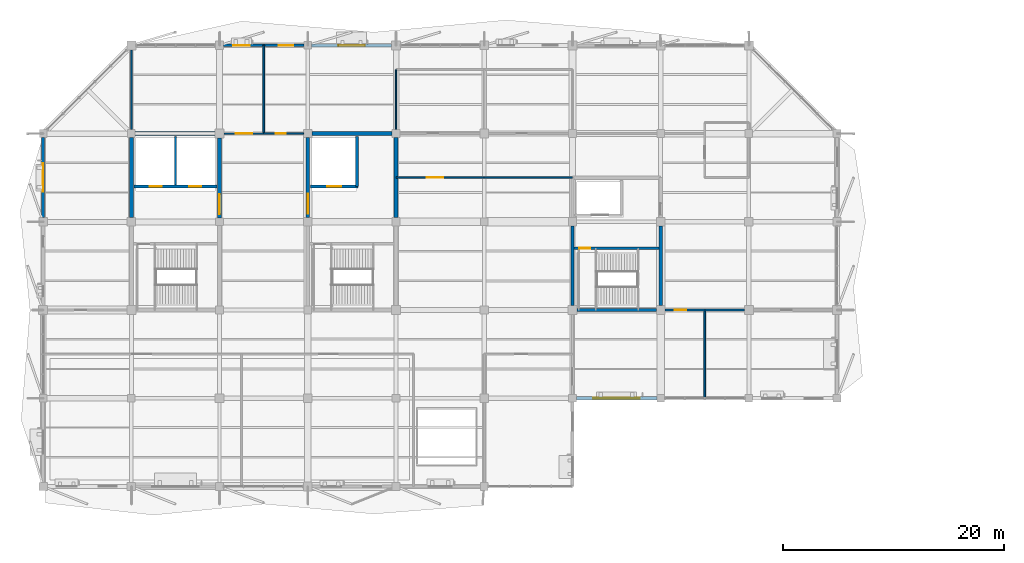
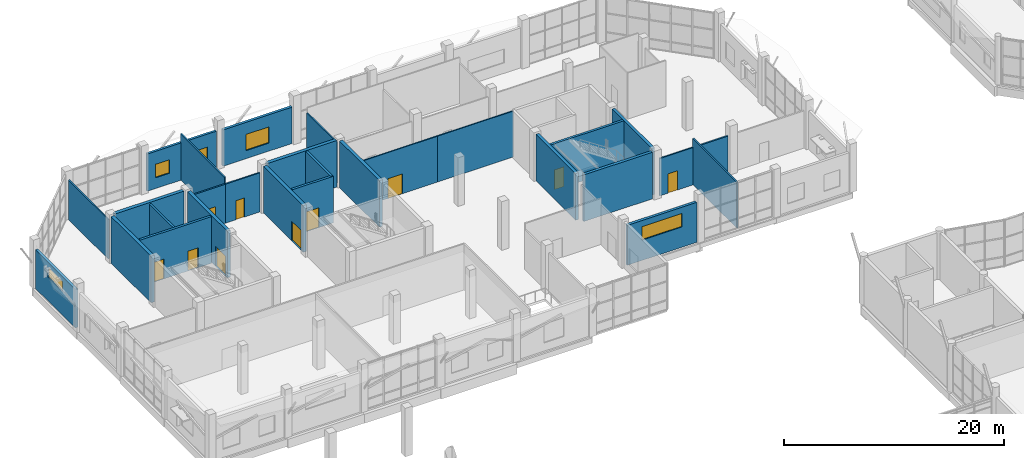
# One storey, part 107 of 122: 28 walls, 10 doors, 5 windows, 15 openings.
"""IFC4 building model written with IfcOpenShell, lengths in metres."""

from ifc_helpers import new_model, si_unit, direction, frame, frame_2d, origin, place, context, subcontext, project, spatial, rectangle, extrude, material, layer, layer_set, type_object, element, fill, save


model = new_model("IFC4")

# Units and contexts
model_context = context("Model", 3, precision=1e-05, world=origin(), true_north=direction((0.0, 1.0)))
body_context = subcontext(model_context, "Body", "Model", "MODEL_VIEW")
ifc_project = project(units=[si_unit("LENGTHUNIT", "METRE"), si_unit("AREAUNIT", "SQUARE_METRE"), si_unit("VOLUMEUNIT", "CUBIC_METRE"), si_unit("PLANEANGLEUNIT", "RADIAN"), si_unit("MASSUNIT", "GRAM", prefix="KILO")], contexts=[model_context])

# Site, building, storey
site_placement = place(None, origin())
site = spatial("IfcSite", under=ifc_project, at=site_placement, CompositionType="ELEMENT")
building_placement = place(site_placement, origin())
building = spatial("IfcBuilding", under=site, at=building_placement, Name="Tenunan Teduh Sports Hall", CompositionType="ELEMENT")
storey_placement = place(building_placement, frame((0.0, 0.0, 5.39990234375)))
storey = spatial("IfcBuildingStorey", under=building, at=storey_placement, Name="L01", CompositionType="ELEMENT", Elevation=5.39990234375)

# Wall, openings, doors
ifc_material_1 = material(Name="Concrete C40/50", Category="concrete")
ifc_layer_1 = layer(ifc_material_1, 0.25)
ifc_layer_set_1 = layer_set([ifc_layer_1], Name="Concrete C40/50")
wall_type_1 = type_object("IfcWallType", Name="WL-COR-250", PredefinedType="SOLIDWALL", material=ifc_layer_set_1)
wall_1_placement = place(storey_placement, frame((14.25, 105.199951171875, 0.0), z_axis=(0.0, 0.0, 1.0), x_axis=(1.0, 0.0, 0.0)))
wall_1 = element("IfcWall", 1, at=wall_1_placement, inside=storey, type_object=wall_type_1, Name="WL-COR-L01-026", PredefinedType="SOLIDWALL", context=body_context, shape_type="SweptSolid", body=[
    extrude(rectangle(XDim=7.5, YDim=0.25, at=frame_2d((3.75, 0.0))), origin(), (0.0, 0.0, 1.0), 5.18017578125),
])
opening_1_placement = place(wall_1_placement, frame((1.39990234375, 0.0, 0.0)))
opening_1 = element("IfcOpeningElement", 2, at=opening_1_placement, cuts=wall_1, Name="Opening LD-1", PredefinedType="OPENING", context=body_context, shape_type="SweptSolid", body=[
    extrude(rectangle(XDim=1.10009765625, YDim=2.199951171875, at=frame_2d((0.550048828125, 1.10009765625))), frame((0.0, 0.135009765625, 0.0), z_axis=(0.0, -1.0, 0.0), x_axis=(1.0, 0.0, 0.0)), (0.0, 0.0, 1.0), 0.27001953125),
])
opening_2_placement = place(wall_1_placement, frame((5.0, 0.0, 0.0)))
opening_2 = element("IfcOpeningElement", 3, at=opening_2_placement, cuts=wall_1, Name="Opening LD-1", PredefinedType="OPENING", context=body_context, shape_type="SweptSolid", body=[
    extrude(rectangle(XDim=1.10009765625, YDim=2.199951171875, at=frame_2d((0.550048828125, 1.10009765625))), frame((0.0, 0.135009765625, 0.0), z_axis=(0.0, -1.0, 0.0), x_axis=(1.0, 0.0, 0.0)), (0.0, 0.0, 1.0), 0.27001953125),
])
ifc_material_2 = material(Name="Brushed stainless steel landing doors", Category="steel")
door_type_1 = type_object("IfcDoorType", Name="LDR-01", OperationType="DOUBLE_DOOR_SLIDING", PredefinedType="DOOR", material=ifc_material_2)
door_1_placement = place(opening_1_placement, origin())
door_1 = element("IfcDoor", 4, at=door_1_placement, inside=storey, type_object=door_type_1, Name="Lift Landing Door LD-05", OperationType="DOUBLE_DOOR_SLIDING", OverallHeight=2.199951171875, OverallWidth=1.10009765625, PredefinedType="DOOR", context=body_context, shape_type="SweptSolid", body=[
    extrude(rectangle(XDim=1.10009765625, YDim=2.199951171875, at=frame_2d((0.550048828125, 1.10009765625))), frame((0.0, 0.02490234375, 0.0), z_axis=(0.0, -1.0, 0.0), x_axis=(1.0, 0.0, 0.0)), (0.0, 0.0, 1.0), 0.050048828125),
])
fill(opening_1, door_1)
door_2_placement = place(opening_2_placement, origin())
door_2 = element("IfcDoor", 5, at=door_2_placement, inside=storey, type_object=door_type_1, Name="Lift Landing Door LD-06", OperationType="DOUBLE_DOOR_SLIDING", OverallHeight=2.199951171875, OverallWidth=1.10009765625, PredefinedType="DOOR", context=body_context, shape_type="SweptSolid", body=[
    extrude(rectangle(XDim=1.10009765625, YDim=2.199951171875, at=frame_2d((0.550048828125, 1.10009765625))), frame((0.0, 0.02490234375, 0.0), z_axis=(0.0, -1.0, 0.0), x_axis=(1.0, 0.0, 0.0)), (0.0, 0.0, 1.0), 0.050048828125),
])
fill(opening_2, door_2)

# Wall, opening, door
wall_2_placement = place(storey_placement, frame((30.25, 105.199951171875, 0.0), z_axis=(0.0, 0.0, 1.0), x_axis=(1.0, 0.0, 0.0)))
wall_2 = element("IfcWall", 6, at=wall_2_placement, inside=storey, type_object=wall_type_1, Name="WL-COR-L01-080", PredefinedType="SOLIDWALL", context=body_context, shape_type="SweptSolid", body=[
    extrude(rectangle(XDim=4.300048828125, YDim=0.25, at=frame_2d((2.14990234375, 0.0))), origin(), (0.0, 0.0, 1.0), 5.18017578125),
])
opening_3_placement = place(wall_2_placement, frame((1.5, 0.0, 0.0)))
opening_3 = element("IfcOpeningElement", 7, at=opening_3_placement, cuts=wall_2, Name="Opening LD-2", PredefinedType="OPENING", context=body_context, shape_type="SweptSolid", body=[
    extrude(rectangle(XDim=1.300048828125, YDim=2.199951171875, at=frame_2d((0.64990234375, 1.10009765625))), frame((0.0, 0.135009765625, 0.0), z_axis=(0.0, -1.0, 0.0), x_axis=(1.0, 0.0, 0.0)), (0.0, 0.0, 1.0), 0.27001953125),
])
ifc_material_3 = material(Name="Fire-fighting lift stainless landing doors")
door_type_2 = type_object("IfcDoorType", Name="LDR-02", OperationType="DOUBLE_DOOR_SLIDING", PredefinedType="DOOR", material=ifc_material_3)
door_3_placement = place(opening_3_placement, origin())
door_3 = element("IfcDoor", 8, at=door_3_placement, inside=storey, type_object=door_type_2, Name="Lift Landing Door LD-15", OperationType="DOUBLE_DOOR_SLIDING", OverallHeight=2.199951171875, OverallWidth=1.300048828125, PredefinedType="DOOR", context=body_context, shape_type="SweptSolid", body=[
    extrude(rectangle(XDim=1.300048828125, YDim=2.199951171875, at=frame_2d((0.64990234375, 1.10009765625))), frame((0.0, 0.02490234375, 0.0), z_axis=(0.0, -1.0, 0.0), x_axis=(1.0, 0.0, 0.0)), (0.0, 0.0, 1.0), 0.050048828125),
])
fill(opening_3, door_3)

# Wall
wall_3_placement = place(storey_placement, frame((34.449951171875, 105.199951171875, 0.0), z_axis=(0.0, 0.0, 1.0), x_axis=(0.0, 1.0, 0.0)))
element("IfcWall", 9, at=wall_3_placement, inside=storey, type_object=wall_type_1, Name="WL-COR-L01-081", PredefinedType="SOLIDWALL", context=body_context, shape_type="SweptSolid", body=[
    extrude(rectangle(XDim=4.550048828125, YDim=0.25, at=frame_2d((2.27490234375, 0.0))), origin(), (0.0, 0.0, 1.0), 5.18017578125),
])

# Wall, opening, door
wall_4_placement = place(storey_placement, frame((54.14990234375, 99.60009765625, 0.0), z_axis=(0.0, 0.0, 1.0), x_axis=(1.0, 0.0, 0.0)))
wall_4 = element("IfcWall", 10, at=wall_4_placement, inside=storey, type_object=wall_type_1, Name="WL-COR-L01-133", PredefinedType="SOLIDWALL", context=body_context, shape_type="SweptSolid", body=[
    extrude(rectangle(XDim=7.7001953125, YDim=0.25, at=frame_2d((3.85009765625, 0.0))), origin(), (0.0, 0.0, 1.0), 5.18017578125),
])
opening_4_placement = place(wall_4_placement, frame((0.449951171875, 0.0, 0.0)))
opening_4 = element("IfcOpeningElement", 11, at=opening_4_placement, cuts=wall_4, Name="Opening FD-01", PredefinedType="OPENING", context=body_context, shape_type="SweptSolid", body=[
    extrude(rectangle(XDim=1.0, YDim=2.199951171875, at=frame_2d((0.5, 1.10009765625))), frame((0.0, 0.135009765625, 0.0), z_axis=(0.0, -1.0, 0.0), x_axis=(1.0, 0.0, 0.0)), (0.0, 0.0, 1.0), 0.27001953125),
])
ifc_material_4 = material(Name="Fire-rated steel leaf and frame", Category="steel")
door_type_3 = type_object("IfcDoorType", Name="FDR-01", OperationType="SINGLE_SWING_LEFT", PredefinedType="DOOR", material=ifc_material_4)
door_4_placement = place(opening_4_placement, frame((1.0, 0.0, 0.0), z_axis=(0.0, 0.0, 1.0), x_axis=(-1.0, 0.0, 0.0)))
door_4 = element("IfcDoor", 12, at=door_4_placement, inside=storey, type_object=door_type_3, Name="DR-INT-L01-051", OperationType="SINGLE_SWING_RIGHT", OverallHeight=2.199951171875, OverallWidth=1.0, PredefinedType="DOOR", context=body_context, shape_type="SweptSolid", body=[
    extrude(rectangle(XDim=1.0, YDim=2.199951171875, at=frame_2d((0.5, 1.10009765625))), frame((0.0, 0.02490234375, 0.0), z_axis=(0.0, -1.0, 0.0), x_axis=(1.0, 0.0, 0.0)), (0.0, 0.0, 1.0), 0.050048828125),
])
fill(opening_4, door_4)

# Wall, openings, windows
ifc_material_5 = material(Name="Precast concrete C40/50", Category="concrete")
ifc_layer_2 = layer(ifc_material_5, 0.25)
ifc_layer_set_2 = layer_set([ifc_layer_2], Name="Precast concrete C40/50")
wall_type_2 = type_object("IfcWallType", Name="WL-EXT-250", PredefinedType="SOLIDWALL", material=ifc_layer_set_2)
wall_5_placement = place(storey_placement, frame((22.375, 118.0, 0.0), z_axis=(0.0, 0.0, 1.0), x_axis=(1.0, 0.0, 0.0)))
wall_5 = element("IfcWall", 13, at=wall_5_placement, inside=storey, type_object=wall_type_2, Name="WL-EXT-L01-171", PredefinedType="SOLIDWALL", context=body_context, shape_type="SweptSolid", body=[
    extrude(rectangle(XDim=7.27490234375, YDim=0.25, at=frame_2d((3.637451171875, 0.0))), origin(), (0.0, 0.0, 1.0), 4.14013671875),
])
opening_5_placement = place(wall_5_placement, frame((0.85009765625, 0.0, 1.199951171875)))
opening_5 = element("IfcOpeningElement", 14, at=opening_5_placement, cuts=wall_5, Name="Opening W-09", PredefinedType="OPENING", context=body_context, shape_type="SweptSolid", body=[
    extrude(rectangle(XDim=1.5, YDim=1.5, at=frame_2d((0.75, 0.75))), frame((0.0, 0.135009765625, 0.0), z_axis=(0.0, -1.0, 0.0), x_axis=(1.0, 0.0, 0.0)), (0.0, 0.0, 1.0), 0.27001953125),
])
opening_6_placement = place(wall_5_placement, frame((4.969970703125, 0.0, 1.050048828125)))
opening_6 = element("IfcOpeningElement", 15, at=opening_6_placement, cuts=wall_5, Name="Opening W-18", PredefinedType="OPENING", context=body_context, shape_type="SweptSolid", body=[
    extrude(rectangle(XDim=1.35009765625, YDim=1.64990234375, at=frame_2d((0.675048828125, 0.824951171875))), frame((0.0, 0.135009765625, 0.0), z_axis=(0.0, -1.0, 0.0), x_axis=(1.0, 0.0, 0.0)), (0.0, 0.0, 1.0), 0.27001953125),
])
ifc_material_6 = material(Name="Thermally broken aluminium and Low-E glazing", Category="aluminium")
window_type_1 = type_object("IfcWindowType", Name="WIN-09", PartitioningType="DOUBLE_PANEL_VERTICAL", PredefinedType="WINDOW", material=ifc_material_6)
window_1_placement = place(opening_5_placement, origin())
window_1 = element("IfcWindow", 16, at=window_1_placement, inside=storey, type_object=window_type_1, Name="WIN-L01-057", OverallHeight=1.5, OverallWidth=1.5, PartitioningType="SINGLE_PANEL", PredefinedType="WINDOW", context=body_context, shape_type="SweptSolid", body=[
    extrude(rectangle(XDim=1.5, YDim=1.5, at=frame_2d((0.75, 0.75))), frame((0.0, 0.030029296875, 0.0), z_axis=(0.0, -1.0, 0.0), x_axis=(1.0, 0.0, 0.0)), (0.0, 0.0, 1.0), 0.06005859375),
])
fill(opening_5, window_1)
ifc_material_7 = material(Name="Thermally broken aluminium and Low-E glazing", Category="aluminium")
window_type_2 = type_object("IfcWindowType", Name="WIN-18", PartitioningType="DOUBLE_PANEL_VERTICAL", PredefinedType="WINDOW", material=ifc_material_7)
window_2_placement = place(opening_6_placement, origin())
window_2 = element("IfcWindow", 17, at=window_2_placement, inside=storey, type_object=window_type_2, Name="WIN-L01-058", OverallHeight=1.64990234375, OverallWidth=1.35009765625, PartitioningType="SINGLE_PANEL", PredefinedType="WINDOW", context=body_context, shape_type="SweptSolid", body=[
    extrude(rectangle(XDim=1.35009765625, YDim=1.64990234375, at=frame_2d((0.675048828125, 0.824951171875))), frame((0.0, 0.030029296875, 0.0), z_axis=(0.0, -1.0, 0.0), x_axis=(1.0, 0.0, 0.0)), (0.0, 0.0, 1.0), 0.06005859375),
])
fill(opening_6, window_2)

# Wall, opening, window
ifc_material_8 = material(Name="Concrete C40/50", Category="concrete")
ifc_layer_3 = layer(ifc_material_8, 0.280029296875)
ifc_layer_set_3 = layer_set([ifc_layer_3], Name="Concrete C40/50")
wall_type_3 = type_object("IfcWallType", Name="WL-EXT-280", PredefinedType="SOLIDWALL", material=ifc_layer_set_3)
wall_6_placement = place(storey_placement, frame((54.35009765625, 86.0, 0.0), z_axis=(0.0, 0.0, 1.0), x_axis=(1.0, 0.0, 0.0)))
wall_6 = element("IfcWall", 18, at=wall_6_placement, inside=storey, type_object=wall_type_3, Name="WL-EXT-L01-167", PredefinedType="SOLIDWALL", context=body_context, shape_type="SweptSolid", body=[
    extrude(rectangle(XDim=7.2998046875, YDim=0.280029296875, at=frame_2d((3.64990234375, 0.0))), origin(), (0.0, 0.0, 1.0), 4.440185546875),
])
opening_7_placement = place(wall_6_placement, frame((1.550048828125, 0.0, 2.25)))
opening_7 = element("IfcOpeningElement", 19, at=opening_7_placement, cuts=wall_6, Name="Opening W-06", PredefinedType="OPENING", context=body_context, shape_type="SweptSolid", body=[
    extrude(rectangle(XDim=4.199951171875, YDim=1.5, at=frame_2d((2.10009765625, 0.75))), frame((0.0, 0.14990234375, 0.0), z_axis=(0.0, -1.0, 0.0), x_axis=(1.0, 0.0, 0.0)), (0.0, 0.0, 1.0), 0.300048828125),
])
ifc_material_9 = material(Name="Thermally broken aluminium and Low-E glazing", Category="aluminium")
window_type_3 = type_object("IfcWindowType", Name="WIN-06", PartitioningType="TRIPLE_PANEL_HORIZONTAL", PredefinedType="WINDOW", material=ifc_material_9)
window_3_placement = place(opening_7_placement, origin())
window_3 = element("IfcWindow", 20, at=window_3_placement, inside=storey, type_object=window_type_3, Name="WIN-L01-051", OverallHeight=1.5, OverallWidth=4.199951171875, PartitioningType="SINGLE_PANEL", PredefinedType="WINDOW", context=body_context, shape_type="SweptSolid", body=[
    extrude(rectangle(XDim=4.199951171875, YDim=1.5, at=frame_2d((2.10009765625, 0.75))), frame((0.0, 0.030029296875, 0.0), z_axis=(0.0, -1.0, 0.0), x_axis=(1.0, 0.0, 0.0)), (0.0, 0.0, 1.0), 0.06005859375),
])
fill(opening_7, window_3)

wall_7_placement = place(storey_placement, frame((30.35009765625, 118.0, 0.0), z_axis=(0.0, 0.0, 1.0), x_axis=(1.0, 0.0, 0.0)))
wall_7 = element("IfcWall", 21, at=wall_7_placement, inside=storey, type_object=wall_type_3, Name="WL-EXT-L01-172", PredefinedType="SOLIDWALL", context=body_context, shape_type="SweptSolid", body=[
    extrude(rectangle(XDim=7.25, YDim=0.280029296875, at=frame_2d((3.625, 0.0))), origin(), (0.0, 0.0, 1.0), 4.0400390625),
])
opening_8_placement = place(wall_7_placement, frame((2.419921875, 0.0, 0.89990234375)))
opening_8 = element("IfcOpeningElement", 22, at=opening_8_placement, cuts=wall_7, Name="Opening W-03", PredefinedType="OPENING", context=body_context, shape_type="SweptSolid", body=[
    extrude(rectangle(XDim=2.39990234375, YDim=1.800048828125, at=frame_2d((1.199951171875, 0.89990234375))), frame((0.0, 0.14990234375, 0.0), z_axis=(0.0, -1.0, 0.0), x_axis=(1.0, 0.0, 0.0)), (0.0, 0.0, 1.0), 0.300048828125),
])
ifc_material_10 = material(Name="Thermally broken aluminium and Low-E glazing", Category="aluminium")
window_type_4 = type_object("IfcWindowType", Name="WIN-03", PartitioningType="DOUBLE_PANEL_VERTICAL", PredefinedType="WINDOW", material=ifc_material_10)
window_4_placement = place(opening_8_placement, origin())
window_4 = element("IfcWindow", 23, at=window_4_placement, inside=storey, type_object=window_type_4, Name="WIN-L01-059", OverallHeight=1.800048828125, OverallWidth=2.39990234375, PartitioningType="SINGLE_PANEL", PredefinedType="WINDOW", context=body_context, shape_type="SweptSolid", body=[
    extrude(rectangle(XDim=2.39990234375, YDim=1.800048828125, at=frame_2d((1.199951171875, 0.89990234375))), frame((0.0, 0.030029296875, 0.0), z_axis=(0.0, -1.0, 0.0), x_axis=(1.0, 0.0, 0.0)), (0.0, 0.0, 1.0), 0.06005859375),
])
fill(opening_8, window_4)

wall_8_placement = place(storey_placement, frame((6.0, 102.375, 0.0), z_axis=(0.0, 0.0, 1.0), x_axis=(0.0, 1.0, 0.0)))
wall_8 = element("IfcWall", 24, at=wall_8_placement, inside=storey, type_object=wall_type_3, Name="WL-EXT-L01-177", PredefinedType="SOLIDWALL", context=body_context, shape_type="SweptSolid", body=[
    extrude(rectangle(XDim=7.27490234375, YDim=0.280029296875, at=frame_2d((3.637451171875, 0.0))), origin(), (0.0, 0.0, 1.0), 4.2900390625),
])
opening_9_placement = place(wall_8_placement, frame((2.340087890625, 0.0, 2.64990234375)))
opening_9 = element("IfcOpeningElement", 25, at=opening_9_placement, cuts=wall_8, Name="Opening W-16", PredefinedType="OPENING", context=body_context, shape_type="SweptSolid", body=[
    extrude(rectangle(XDim=2.60009765625, YDim=1.10009765625, at=frame_2d((1.300048828125, 0.550048828125))), frame((0.0, 0.14990234375, 0.0), z_axis=(0.0, -1.0, 0.0), x_axis=(1.0, 0.0, 0.0)), (0.0, 0.0, 1.0), 0.300048828125),
])
ifc_material_11 = material(Name="Thermally broken aluminium and Low-E glazing", Category="aluminium")
window_type_5 = type_object("IfcWindowType", Name="WIN-16", PartitioningType="DOUBLE_PANEL_HORIZONTAL", PredefinedType="WINDOW", material=ifc_material_11)
window_5_placement = place(opening_9_placement, origin())
window_5 = element("IfcWindow", 26, at=window_5_placement, inside=storey, type_object=window_type_5, Name="WIN-L01-066", OverallHeight=1.10009765625, OverallWidth=2.60009765625, PartitioningType="SINGLE_PANEL", PredefinedType="WINDOW", context=body_context, shape_type="SweptSolid", body=[
    extrude(rectangle(XDim=2.60009765625, YDim=1.10009765625, at=frame_2d((1.300048828125, 0.550048828125))), frame((0.0, 0.030029296875, 0.0), z_axis=(0.0, -1.0, 0.0), x_axis=(1.0, 0.0, 0.0)), (0.0, 0.0, 1.0), 0.06005859375),
])
fill(opening_9, window_5)

# Wall
ifc_material_12 = material(Name="Moisture-resistant masonry", Category="masonry")
ifc_layer_4 = layer(ifc_material_12, 0.125)
ifc_layer_set_4 = layer_set([ifc_layer_4], Name="Moisture-resistant masonry")
wall_type_4 = type_object("IfcWallType", Name="WL-PRT-125", PredefinedType="PARTITIONING", material=ifc_layer_set_4)
wall_9_placement = place(storey_placement, frame((38.0, 110.35009765625, 0.0), z_axis=(0.0, 0.0, 1.0), x_axis=(0.0, 1.0, 0.0)))
element("IfcWall", 27, at=wall_9_placement, inside=storey, type_object=wall_type_4, Name="WL-PRT-L01-371", PredefinedType="PARTITIONING", context=body_context, shape_type="SweptSolid", body=[
    extrude(rectangle(XDim=5.449951171875, YDim=0.125, at=frame_2d((2.72509765625, 0.0))), origin(), (0.0, 0.0, 1.0), 4.5400390625),
])

# Wall, opening, door
wall_10_placement = place(storey_placement, frame((38.0, 106.0, 0.0), z_axis=(0.0, 0.0, 1.0), x_axis=(1.0, 0.0, 0.0)))
wall_10 = element("IfcWall", 28, at=wall_10_placement, inside=storey, type_object=wall_type_4, Name="WL-PRT-L01-374", PredefinedType="PARTITIONING", context=body_context, shape_type="SweptSolid", body=[
    extrude(rectangle(XDim=8.0, YDim=0.125, at=frame_2d((4.0, 0.0))), origin(), (0.0, 0.0, 1.0), 5.10009765625),
])
opening_10_placement = place(wall_10_placement, frame((2.800048828125, 0.0, 0.0)))
opening_10 = element("IfcOpeningElement", 29, at=opening_10_placement, cuts=wall_10, Name="Opening ID-04", PredefinedType="OPENING", context=body_context, shape_type="SweptSolid", body=[
    extrude(rectangle(XDim=1.5, YDim=2.199951171875, at=frame_2d((0.75, 1.10009765625))), frame((0.0, 0.072509765625, 0.0), z_axis=(0.0, -1.0, 0.0), x_axis=(1.0, 0.0, 0.0)), (0.0, 0.0, 1.0), 0.14501953125),
])
ifc_material_13 = material(Name="Acoustic studio timber pair", Category="wood")
door_type_4 = type_object("IfcDoorType", Name="IDR-04", OperationType="DOUBLE_DOOR_SINGLE_SWING", PredefinedType="DOOR", material=ifc_material_13)
door_5_placement = place(opening_10_placement, frame((1.5, 0.0, 0.0), z_axis=(0.0, 0.0, 1.0), x_axis=(-1.0, 0.0, 0.0)))
door_5 = element("IfcDoor", 30, at=door_5_placement, inside=storey, type_object=door_type_4, Name="DR-INT-L01-142", OperationType="DOUBLE_DOOR_SINGLE_SWING", OverallHeight=2.199951171875, OverallWidth=1.5, PredefinedType="DOOR", context=body_context, shape_type="SweptSolid", body=[
    extrude(rectangle(XDim=1.5, YDim=2.199951171875, at=frame_2d((0.75, 1.10009765625))), frame((0.0, 0.02490234375, 0.0), z_axis=(0.0, -1.0, 0.0), x_axis=(1.0, 0.0, 0.0)), (0.0, 0.0, 1.0), 0.050048828125),
])
fill(opening_10, door_5)

# Walls
wall_11_placement = place(storey_placement, frame((46.0, 106.0, 0.0), z_axis=(0.0, 0.0, 1.0), x_axis=(1.0, 0.0, 0.0)))
element("IfcWall", 31, at=wall_11_placement, inside=storey, type_object=wall_type_4, Name="WL-PRT-L01-375", PredefinedType="PARTITIONING", context=body_context, shape_type="SweptSolid", body=[
    extrude(rectangle(XDim=8.0, YDim=0.125, at=frame_2d((4.0, 0.0))), origin(), (0.0, 0.0, 1.0), 5.10009765625),
])
ifc_material_14 = material(Name="Acoustic stud and double plasterboard")
ifc_layer_5 = layer(ifc_material_14, 0.14990234375)
ifc_layer_set_5 = layer_set([ifc_layer_5], Name="Acoustic stud and double plasterboard")
wall_type_5 = type_object("IfcWallType", Name="WL-PRT-150", PredefinedType="PARTITIONING", material=ifc_layer_set_5)
wall_12_placement = place(storey_placement, frame((14.0, 110.35009765625, 0.0), z_axis=(0.0, 0.0, 1.0), x_axis=(0.0, 1.0, 0.0)))
element("IfcWall", 32, at=wall_12_placement, inside=storey, type_object=wall_type_5, Name="WL-PRT-L01-369", PredefinedType="PARTITIONING", context=body_context, shape_type="SweptSolid", body=[
    extrude(rectangle(XDim=7.25, YDim=0.14990234375, at=frame_2d((3.625, 0.0))), origin(), (0.0, 0.0, 1.0), 4.39013671875),
])
wall_13_placement = place(storey_placement, frame((26.0, 110.0, 0.0), z_axis=(0.0, 0.0, 1.0), x_axis=(0.0, 1.0, 0.0)))
element("IfcWall", 33, at=wall_13_placement, inside=storey, type_object=wall_type_5, Name="WL-PRT-L01-370", PredefinedType="PARTITIONING", context=body_context, shape_type="SweptSolid", body=[
    extrude(rectangle(XDim=8.0, YDim=0.14990234375, at=frame_2d((4.0, 0.0))), origin(), (0.0, 0.0, 1.0), 5.10009765625),
])

# Wall, opening, door
wall_14_placement = place(storey_placement, frame((22.39990234375, 110.0, 0.0), z_axis=(0.0, 0.0, 1.0), x_axis=(1.0, 0.0, 0.0)))
wall_14 = element("IfcWall", 34, at=wall_14_placement, inside=storey, type_object=wall_type_5, Name="WL-PRT-L01-372", PredefinedType="PARTITIONING", context=body_context, shape_type="SweptSolid", body=[
    extrude(rectangle(XDim=3.60009765625, YDim=0.14990234375, at=frame_2d((1.800048828125, 0.0))), origin(), (0.0, 0.0, 1.0), 4.340087890625),
])
opening_11_placement = place(wall_14_placement, frame((1.080078125, 0.0, 0.0)))
opening_11 = element("IfcOpeningElement", 35, at=opening_11_placement, cuts=wall_14, Name="Opening ID-04", PredefinedType="OPENING", context=body_context, shape_type="SweptSolid", body=[
    extrude(rectangle(XDim=1.5, YDim=2.199951171875, at=frame_2d((0.75, 1.10009765625))), frame((0.0, 0.0849609375, 0.0), z_axis=(0.0, -1.0, 0.0), x_axis=(1.0, 0.0, 0.0)), (0.0, 0.0, 1.0), 0.169921875),
])
door_6_placement = place(opening_11_placement, frame((1.5, 0.0, 0.0), z_axis=(0.0, 0.0, 1.0), x_axis=(-1.0, 0.0, 0.0)))
door_6 = element("IfcDoor", 36, at=door_6_placement, inside=storey, type_object=door_type_4, Name="DR-INT-L01-140", OperationType="DOUBLE_DOOR_SINGLE_SWING", OverallHeight=2.199951171875, OverallWidth=1.5, PredefinedType="DOOR", context=body_context, shape_type="SweptSolid", body=[
    extrude(rectangle(XDim=1.5, YDim=2.199951171875, at=frame_2d((0.75, 1.10009765625))), frame((0.0, 0.02490234375, 0.0), z_axis=(0.0, -1.0, 0.0), x_axis=(1.0, 0.0, 0.0)), (0.0, 0.0, 1.0), 0.050048828125),
])
fill(opening_11, door_6)

wall_15_placement = place(storey_placement, frame((26.0, 110.0, 0.0), z_axis=(0.0, 0.0, 1.0), x_axis=(1.0, 0.0, 0.0)))
wall_15 = element("IfcWall", 37, at=wall_15_placement, inside=storey, type_object=wall_type_5, Name="WL-PRT-L01-373", PredefinedType="PARTITIONING", context=body_context, shape_type="SweptSolid", body=[
    extrude(rectangle(XDim=3.625, YDim=0.14990234375, at=frame_2d((1.8125, 0.0))), origin(), (0.0, 0.0, 1.0), 4.340087890625),
])
opening_12_placement = place(wall_15_placement, frame((1.090087890625, 0.0, 0.0)))
opening_12 = element("IfcOpeningElement", 38, at=opening_12_placement, cuts=wall_15, Name="Opening ID-08", PredefinedType="OPENING", context=body_context, shape_type="SweptSolid", body=[
    extrude(rectangle(XDim=0.919921875, YDim=2.1201171875, at=frame_2d((0.4599609375, 1.06005859375))), frame((0.0, 0.0849609375, 0.0), z_axis=(0.0, -1.0, 0.0), x_axis=(1.0, 0.0, 0.0)), (0.0, 0.0, 1.0), 0.169921875),
])
ifc_material_15 = material(Name="Acoustic office timber leaf", Category="wood")
door_type_5 = type_object("IfcDoorType", Name="IDR-08", OperationType="SINGLE_SWING_LEFT", PredefinedType="DOOR", material=ifc_material_15)
door_7_placement = place(opening_12_placement, frame((0.919921875, 0.0, 0.0), z_axis=(0.0, 0.0, 1.0), x_axis=(-1.0, 0.0, 0.0)))
door_7 = element("IfcDoor", 39, at=door_7_placement, inside=storey, type_object=door_type_5, Name="DR-INT-L01-141", OperationType="SINGLE_SWING_RIGHT", OverallHeight=2.1201171875, OverallWidth=0.919921875, PredefinedType="DOOR", context=body_context, shape_type="SweptSolid", body=[
    extrude(rectangle(XDim=0.919921875, YDim=2.1201171875, at=frame_2d((0.4599609375, 1.06005859375))), frame((0.0, 0.02490234375, 0.0), z_axis=(0.0, -1.0, 0.0), x_axis=(1.0, 0.0, 0.0)), (0.0, 0.0, 1.0), 0.050048828125),
])
fill(opening_12, door_7)

wall_16_placement = place(storey_placement, frame((62.39990234375, 94.0, 0.0), z_axis=(0.0, 0.0, 1.0), x_axis=(1.0, 0.0, 0.0)))
wall_16 = element("IfcWall", 40, at=wall_16_placement, inside=storey, type_object=wall_type_5, Name="WL-PRT-L01-388", PredefinedType="PARTITIONING", context=body_context, shape_type="SweptSolid", body=[
    extrude(rectangle(XDim=3.60009765625, YDim=0.14990234375, at=frame_2d((1.800048828125, 0.0))), origin(), (0.0, 0.0, 1.0), 4.14013671875),
])
opening_13_placement = place(wall_16_placement, frame((0.89990234375, 0.0, 0.0)))
opening_13 = element("IfcOpeningElement", 41, at=opening_13_placement, cuts=wall_16, Name="Opening ID-03", PredefinedType="OPENING", context=body_context, shape_type="SweptSolid", body=[
    extrude(rectangle(XDim=1.0, YDim=2.14990234375, at=frame_2d((0.5, 1.074951171875))), frame((0.0, 0.0849609375, 0.0), z_axis=(0.0, -1.0, 0.0), x_axis=(1.0, 0.0, 0.0)), (0.0, 0.0, 1.0), 0.169921875),
])
ifc_material_16 = material(Name="Accessible wide HPL leaf")
door_type_6 = type_object("IfcDoorType", Name="IDR-03", OperationType="SINGLE_SWING_LEFT", PredefinedType="DOOR", material=ifc_material_16)
door_8_placement = place(opening_13_placement, origin())
door_8 = element("IfcDoor", 42, at=door_8_placement, inside=storey, type_object=door_type_6, Name="DR-INT-L01-147", OperationType="SINGLE_SWING_RIGHT", OverallHeight=2.14990234375, OverallWidth=1.0, PredefinedType="DOOR", context=body_context, shape_type="SweptSolid", body=[
    extrude(rectangle(XDim=1.0, YDim=2.14990234375, at=frame_2d((0.5, 1.074951171875))), frame((0.0, 0.02490234375, 0.0), z_axis=(0.0, -1.0, 0.0), x_axis=(1.0, 0.0, 0.0)), (0.0, 0.0, 1.0), 0.050048828125),
])
fill(opening_13, door_8)

# Walls
wall_17_placement = place(storey_placement, frame((66.0, 94.0, 0.0), z_axis=(0.0, 0.0, 1.0), x_axis=(1.0, 0.0, 0.0)))
element("IfcWall", 43, at=wall_17_placement, inside=storey, type_object=wall_type_5, Name="WL-PRT-L01-389", PredefinedType="PARTITIONING", context=body_context, shape_type="SweptSolid", body=[
    extrude(rectangle(XDim=3.60009765625, YDim=0.14990234375, at=frame_2d((1.800048828125, 0.0))), origin(), (0.0, 0.0, 1.0), 4.14013671875),
])
wall_18_placement = place(storey_placement, frame((66.0, 86.0, 0.0), z_axis=(0.0, 0.0, 1.0), x_axis=(0.0, 1.0, 0.0)))
element("IfcWall", 44, at=wall_18_placement, inside=storey, type_object=wall_type_5, Name="WL-PRT-L01-391", PredefinedType="PARTITIONING", context=body_context, shape_type="SweptSolid", body=[
    extrude(rectangle(XDim=8.0, YDim=0.14990234375, at=frame_2d((4.0, 0.0))), origin(), (0.0, 0.0, 1.0), 5.10009765625),
])
ifc_material_17 = material(Name="Autoclaved aerated concrete blockwork", Category="masonry")
ifc_layer_6 = layer(ifc_material_17, 0.199951171875)
ifc_layer_set_6 = layer_set([ifc_layer_6], Name="Autoclaved aerated concrete blockwork")
wall_type_6 = type_object("IfcWallType", Name="WL-PRT-200", PredefinedType="PARTITIONING", material=ifc_layer_set_6)
wall_19_placement = place(storey_placement, frame((18.0, 105.35009765625, 0.0), z_axis=(0.0, 0.0, 1.0), x_axis=(0.0, 1.0, 0.0)))
element("IfcWall", 45, at=wall_19_placement, inside=storey, type_object=wall_type_6, Name="WL-PRT-L01-027", PredefinedType="PARTITIONING", context=body_context, shape_type="SweptSolid", body=[
    extrude(rectangle(XDim=4.39990234375, YDim=0.199951171875, at=frame_2d((2.199951171875, 0.0))), origin(), (0.0, 0.0, 1.0), 5.10009765625),
])
ifc_material_18 = material(Name="Concrete C40/50", Category="concrete")
ifc_layer_7 = layer(ifc_material_18, 0.300048828125)
ifc_layer_set_7 = layer_set([ifc_layer_7], Name="Concrete C40/50")
wall_type_7 = type_object("IfcWallType", Name="WL-SHR-300", PredefinedType="SHEAR", material=ifc_layer_set_7)
wall_20_placement = place(storey_placement, frame((54.39990234375, 94.0, 0.0), z_axis=(0.0, 0.0, 1.0), x_axis=(1.0, 0.0, 0.0)))
element("IfcWall", 46, at=wall_20_placement, inside=storey, type_object=wall_type_7, Name="WL-COR-L01-127", PredefinedType="SHEAR", context=body_context, shape_type="SweptSolid", body=[
    extrude(rectangle(XDim=7.2001953125, YDim=0.300048828125, at=frame_2d((3.60009765625, 0.0))), origin(), (0.0, 0.0, 1.0), 5.18017578125),
])
for number, where, z_axis, x_axis, name in (
    (47, (54.0, 94.39990234375, 0.0), (0.0, 0.0, 1.0), (0.0, 1.0, 0.0), "WL-COR-L01-129"),
    (48, (62.0, 94.39990234375, 0.0), (0.0, 0.0, 1.0), (0.0, 1.0, 0.0), "WL-COR-L01-131"),
):
    element("IfcWall", number, at=place(storey_placement, frame(where, z_axis=z_axis, x_axis=x_axis)), inside=storey, type_object=wall_type_7, Name=name, PredefinedType="SHEAR", context=body_context, shape_type="SweptSolid", body=[
        extrude(rectangle(XDim=7.22509765625, YDim=0.300048828125, at=frame_2d((3.612548828125, 0.0))), origin(), (0.0, 0.0, 1.0), 5.18017578125),
    ])
ifc_material_19 = material(Name="Concrete C40/50", Category="concrete")
ifc_layer_8 = layer(ifc_material_19, 0.35009765625)
ifc_layer_set_8 = layer_set([ifc_layer_8], Name="Concrete C40/50")
wall_type_8 = type_object("IfcWallType", Name="WL-SHR-350", PredefinedType="SHEAR", material=ifc_layer_set_8)
wall_21_placement = place(storey_placement, frame((14.35009765625, 110.0, 0.0), z_axis=(0.0, 0.0, 1.0), x_axis=(1.0, 0.0, 0.0)))
element("IfcWall", 49, at=wall_21_placement, inside=storey, type_object=wall_type_8, Name="WL-COR-L01-020", PredefinedType="SHEAR", context=body_context, shape_type="SweptSolid", body=[
    extrude(rectangle(XDim=7.25, YDim=0.35009765625, at=frame_2d((3.625, 0.0))), origin(), (0.0, 0.0, 1.0), 5.18017578125),
])
wall_22_placement = place(storey_placement, frame((14.0, 102.375, 0.0), z_axis=(0.0, 0.0, 1.0), x_axis=(0.0, 1.0, 0.0)))
element("IfcWall", 50, at=wall_22_placement, inside=storey, type_object=wall_type_8, Name="WL-COR-L01-022", PredefinedType="SHEAR", context=body_context, shape_type="SweptSolid", body=[
    extrude(rectangle(XDim=7.27490234375, YDim=0.35009765625, at=frame_2d((3.637451171875, 0.0))), origin(), (0.0, 0.0, 1.0), 5.18017578125),
])

# Wall, opening, door
wall_23_placement = place(storey_placement, frame((22.0, 102.35009765625, 0.0), z_axis=(0.0, 0.0, 1.0), x_axis=(0.0, 1.0, 0.0)))
wall_23 = element("IfcWall", 51, at=wall_23_placement, inside=storey, type_object=wall_type_8, Name="WL-COR-L01-024", PredefinedType="SHEAR", context=body_context, shape_type="SweptSolid", body=[
    extrude(rectangle(XDim=7.25, YDim=0.35009765625, at=frame_2d((3.625, 0.0))), origin(), (0.0, 0.0, 1.0), 5.18017578125),
])
opening_14_placement = place(wall_23_placement, frame((0.35009765625, 0.0, 0.0)))
opening_14 = element("IfcOpeningElement", 52, at=opening_14_placement, cuts=wall_23, Name="Opening FD-03", PredefinedType="OPENING", context=body_context, shape_type="SweptSolid", body=[
    extrude(rectangle(XDim=1.800048828125, YDim=2.199951171875, at=frame_2d((0.89990234375, 1.10009765625))), frame((0.0, 0.18505859375, 0.0), z_axis=(0.0, -1.0, 0.0), x_axis=(1.0, 0.0, 0.0)), (0.0, 0.0, 1.0), 0.3701171875),
])
ifc_material_20 = material(Name="Fire-rated hardwood pair", Category="wood")
door_type_7 = type_object("IfcDoorType", Name="FDR-03", OperationType="DOUBLE_DOOR_SINGLE_SWING", PredefinedType="DOOR", material=ifc_material_20)
door_9_placement = place(opening_14_placement, frame((1.800048828125, 0.0, 0.0), z_axis=(0.0, 0.0, 1.0), x_axis=(-1.0, 0.0, 0.0)))
door_9 = element("IfcDoor", 53, at=door_9_placement, inside=storey, type_object=door_type_7, Name="DR-INT-L01-009", OperationType="DOUBLE_DOOR_SINGLE_SWING", OverallHeight=2.199951171875, OverallWidth=1.800048828125, PredefinedType="DOOR", context=body_context, shape_type="SweptSolid", body=[
    extrude(rectangle(XDim=1.800048828125, YDim=2.199951171875, at=frame_2d((0.89990234375, 1.10009765625))), frame((0.0, 0.02490234375, 0.0), z_axis=(0.0, -1.0, 0.0), x_axis=(1.0, 0.0, 0.0)), (0.0, 0.0, 1.0), 0.050048828125),
])
fill(opening_14, door_9)

# Wall
wall_24_placement = place(storey_placement, frame((30.375, 110.0, 0.0), z_axis=(0.0, 0.0, 1.0), x_axis=(1.0, 0.0, 0.0)))
element("IfcWall", 54, at=wall_24_placement, inside=storey, type_object=wall_type_8, Name="WL-COR-L01-074", PredefinedType="SHEAR", context=body_context, shape_type="SweptSolid", body=[
    extrude(rectangle(XDim=7.27490234375, YDim=0.35009765625, at=frame_2d((3.637451171875, 0.0))), origin(), (0.0, 0.0, 1.0), 5.18017578125),
])

# Wall, opening, door
wall_25_placement = place(storey_placement, frame((30.0, 102.39990234375, 0.0), z_axis=(0.0, 0.0, 1.0), x_axis=(0.0, 1.0, 0.0)))
wall_25 = element("IfcWall", 55, at=wall_25_placement, inside=storey, type_object=wall_type_8, Name="WL-COR-L01-076", PredefinedType="SHEAR", context=body_context, shape_type="SweptSolid", body=[
    extrude(rectangle(XDim=7.22509765625, YDim=0.35009765625, at=frame_2d((3.612548828125, 0.0))), origin(), (0.0, 0.0, 1.0), 5.18017578125),
])
opening_15_placement = place(wall_25_placement, frame((0.35009765625, 0.0, 0.0)))
opening_15 = element("IfcOpeningElement", 56, at=opening_15_placement, cuts=wall_25, Name="Opening FD-03", PredefinedType="OPENING", context=body_context, shape_type="SweptSolid", body=[
    extrude(rectangle(XDim=1.800048828125, YDim=2.199951171875, at=frame_2d((0.89990234375, 1.10009765625))), frame((0.0, 0.18505859375, 0.0), z_axis=(0.0, -1.0, 0.0), x_axis=(1.0, 0.0, 0.0)), (0.0, 0.0, 1.0), 0.3701171875),
])
door_10_placement = place(opening_15_placement, origin())
door_10 = element("IfcDoor", 57, at=door_10_placement, inside=storey, type_object=door_type_7, Name="DR-INT-L01-031", OperationType="DOUBLE_DOOR_SINGLE_SWING", OverallHeight=2.199951171875, OverallWidth=1.800048828125, PredefinedType="DOOR", context=body_context, shape_type="SweptSolid", body=[
    extrude(rectangle(XDim=1.800048828125, YDim=2.199951171875, at=frame_2d((0.89990234375, 1.10009765625))), frame((0.0, 0.02490234375, 0.0), z_axis=(0.0, -1.0, 0.0), x_axis=(1.0, 0.0, 0.0)), (0.0, 0.0, 1.0), 0.050048828125),
])
fill(opening_15, door_10)

# Wall
wall_26_placement = place(storey_placement, frame((38.0, 102.375, 0.0), z_axis=(0.0, 0.0, 1.0), x_axis=(0.0, 1.0, 0.0)))
element("IfcWall", 58, at=wall_26_placement, inside=storey, type_object=wall_type_8, Name="WL-COR-L01-078", PredefinedType="SHEAR", context=body_context, shape_type="SweptSolid", body=[
    extrude(rectangle(XDim=7.27490234375, YDim=0.35009765625, at=frame_2d((3.637451171875, 0.0))), origin(), (0.0, 0.0, 1.0), 5.18017578125),
])

save(model, "model.ifc")
